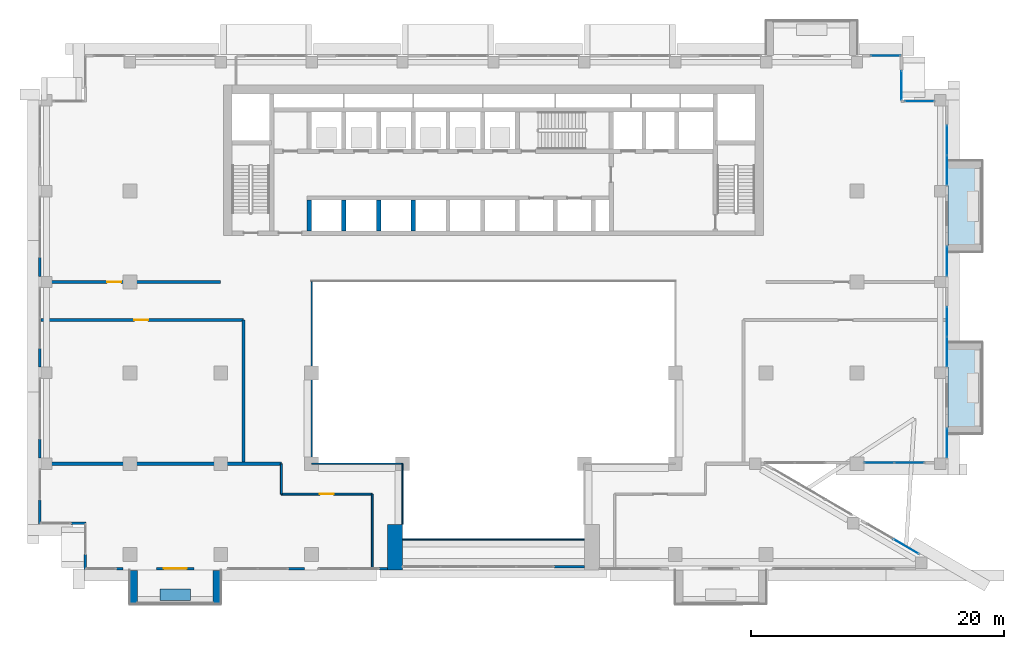
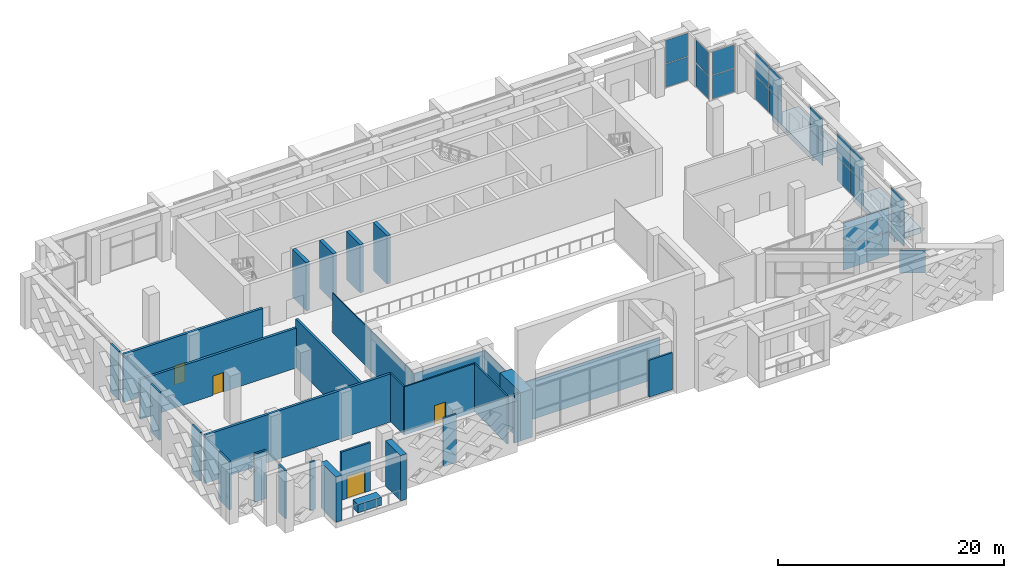
# One storey, part 14 of 25: 30 walls, 23 plates, 4 doors, 2 slabs, 4 openings, 9 elements without a shape of their own.
"""IFC4 building model written with IfcOpenShell, lengths in metres."""

from ifc_helpers import new_model, si_unit, direction, frame, frame_2d, origin, origin_2d, place, context, subcontext, project, spatial, polyline, rectangle, outline, extrude, source, transform, mapped, material, layer, layer_set, type_object, element, fill, aggregate, save


model = new_model("IFC4")

# Units and contexts
model_context = context("Model", 3, precision=1e-05, world=origin(), true_north=direction((0.0, 1.0)))
body_context = subcontext(model_context, "Body", "Model", "MODEL_VIEW")
ifc_project = project(units=[si_unit("LENGTHUNIT", "METRE"), si_unit("AREAUNIT", "SQUARE_METRE"), si_unit("VOLUMEUNIT", "CUBIC_METRE"), si_unit("PLANEANGLEUNIT", "RADIAN"), si_unit("MASSUNIT", "GRAM", prefix="KILO")], contexts=[model_context])

# Site, building, storey
site_placement = place(None, origin())
site = spatial("IfcSite", under=ifc_project, at=site_placement, CompositionType="ELEMENT")
building_placement = place(site_placement, origin())
building = spatial("IfcBuilding", under=site, at=building_placement, Name="Saffron Iwan Residences", CompositionType="ELEMENT")
storey_placement = place(building_placement, frame((0.0, 0.0, 137.5)))
storey = spatial("IfcBuildingStorey", under=building, at=storey_placement, Name="L36", CompositionType="ELEMENT", Elevation=137.5)

# Slabs
ifc_material_1 = material(Name="Concrete C50/60 white painted", Category="concrete")
ifc_layer_1 = layer(ifc_material_1, 0.60009765625)
ifc_layer_set_1 = layer_set([ifc_layer_1], Name="Concrete C50/60 white painted")
slab_type = type_object("IfcSlabType", Name="BALCONY FRAME SLAB 600", PredefinedType="FLOOR", material=ifc_layer_set_1)
slab_1_placement = place(storey_placement, frame((0.0, 0.0, -0.60009765625)))
element("IfcSlab", 1, at=slab_1_placement, inside=storey, type_object=slab_type, Name="Balcony frame slab L36 F2-0", PredefinedType="FLOOR", context=body_context, shape_type="SweptSolid", body=[
    extrude(outline(polyline([(89.10009765625, 50.39990234375), (89.10009765625, 57.60009765625), (86.39990234375, 57.60009765625), (86.39990234375, 50.39990234375), (89.10009765625, 50.39990234375)])), origin(), (0.0, 0.0, 1.0), 0.60009765625),
])
slab_2_placement = place(storey_placement, frame((0.0, 0.0, -0.60009765625)))
element("IfcSlab", 2, at=slab_2_placement, inside=storey, type_object=slab_type, Name="Balcony frame slab L36 F2-1", PredefinedType="FLOOR", context=body_context, shape_type="SweptSolid", body=[
    extrude(outline(polyline([(89.10009765625, 64.800048828125), (89.10009765625, 72.0), (86.39990234375, 72.0), (86.39990234375, 64.800048828125), (89.10009765625, 64.800048828125)])), origin(), (0.0, 0.0, 1.0), 0.60009765625),
])

# Curtain wall, plate
ifc_material_2 = material(Name="Clear glass, laminated double glazed", Category="glass")
ifc_layer_2 = layer(ifc_material_2, 0.14990234375)
ifc_layer_set_2 = layer_set([ifc_layer_2], Name="Clear glass, laminated double glazed")
curtain_wall_type = type_object("IfcCurtainWallType", Name="CW-C SKY LOBBY GLAZING", PredefinedType="NOTDEFINED", material=ifc_layer_set_2)
curtain_wall_1_placement = place(storey_placement, origin())
curtain_wall_1 = element("IfcCurtainWall", 3, at=curtain_wall_1_placement, inside=storey, type_object=curtain_wall_type, Name="Glazing L36 F0.1", PredefinedType="NOTDEFINED")
ifc_layer_3 = layer(ifc_material_2, 0.028076171875)
ifc_layer_set_3 = layer_set([ifc_layer_3], Name="Clear glass, laminated double glazed")
plate_type = type_object("IfcPlateType", Name="CW-C PANEL 28", PredefinedType="CURTAIN_PANEL", material=ifc_layer_set_3)
shared_shape_1 = source(origin(), body_context, "Body", "SweptSolid", [
    extrude(rectangle(XDim=2.31005859375, YDim=0.028076171875, at=origin_2d()), origin(), (0.0, 0.0, 1.0), 2.510009765625),
])
plate_1_placement = place(storey_placement, frame((83.0869140625, 41.43994140625, 2.6298828125), z_axis=(0.0, 0.0, 1.0), x_axis=(-0.863778900842, 0.503871025622, 0.0)))
plate_1 = element("IfcPlate", 4, at=plate_1_placement, type_object=plate_type, Name="CW-C panel 1.2", PredefinedType="CURTAIN_PANEL", context=body_context, shape_type="MappedRepresentation", body=[
    mapped(shared_shape_1, transform((0.0, 0.0, 0.0))),
])
aggregate(curtain_wall_1, [plate_1])

# Curtain wall, plates
curtain_wall_2_placement = place(storey_placement, origin())
curtain_wall_2 = element("IfcCurtainWall", 5, at=curtain_wall_2_placement, inside=storey, type_object=curtain_wall_type, Name="Glazing L36 F1.1", PredefinedType="NOTDEFINED")
plate_2_placement = place(storey_placement, frame((80.965087890625, 48.080078125, 0.06005859375), z_axis=(0.0, 0.0, 1.0), x_axis=(1.0, 0.0, 0.0)))
plate_2 = element("IfcPlate", 6, at=plate_2_placement, type_object=plate_type, Name="CW-C panel 1.1", PredefinedType="CURTAIN_PANEL", context=body_context, shape_type="MappedRepresentation", body=[
    mapped(shared_shape_1, transform((0.0, 0.0, 0.0))),
])
plate_3_placement = place(storey_placement, frame((80.965087890625, 48.080078125, 2.6298828125), z_axis=(0.0, 0.0, 1.0), x_axis=(1.0, 0.0, 0.0)))
plate_3 = element("IfcPlate", 7, at=plate_3_placement, type_object=plate_type, Name="CW-C panel 1.2", PredefinedType="CURTAIN_PANEL", context=body_context, shape_type="MappedRepresentation", body=[
    mapped(shared_shape_1, transform((0.0, 0.0, 0.0))),
])
plate_4_placement = place(storey_placement, frame((83.3349609375, 48.080078125, 0.06005859375), z_axis=(0.0, 0.0, 1.0), x_axis=(1.0, 0.0, 0.0)))
plate_4 = element("IfcPlate", 8, at=plate_4_placement, type_object=plate_type, Name="CW-C panel 2.1", PredefinedType="CURTAIN_PANEL", context=body_context, shape_type="MappedRepresentation", body=[
    mapped(shared_shape_1, transform((0.0, 0.0, 0.0))),
])
plate_5_placement = place(storey_placement, frame((83.3349609375, 48.080078125, 2.6298828125), z_axis=(0.0, 0.0, 1.0), x_axis=(1.0, 0.0, 0.0)))
plate_5 = element("IfcPlate", 9, at=plate_5_placement, type_object=plate_type, Name="CW-C panel 2.2", PredefinedType="CURTAIN_PANEL", context=body_context, shape_type="MappedRepresentation", body=[
    mapped(shared_shape_1, transform((0.0, 0.0, 0.0))),
])
aggregate(curtain_wall_2, [plate_2, plate_3, plate_4, plate_5])

curtain_wall_3_placement = place(storey_placement, origin())
curtain_wall_3 = element("IfcCurtainWall", 10, at=curtain_wall_3_placement, inside=storey, type_object=curtain_wall_type, Name="Glazing L36 F2.1", PredefinedType="NOTDEFINED")
plate_6_placement = place(storey_placement, frame((86.320068359375, 56.864990234375, 0.06005859375), z_axis=(0.0, 0.0, 1.0), x_axis=(0.0, 1.0, 0.0)))
plate_6 = element("IfcPlate", 11, at=plate_6_placement, type_object=plate_type, Name="CW-C panel 1.1", PredefinedType="CURTAIN_PANEL", context=body_context, shape_type="MappedRepresentation", body=[
    mapped(shared_shape_1, transform((0.0, 0.0, 0.0))),
])
plate_7_placement = place(storey_placement, frame((86.320068359375, 56.864990234375, 2.6298828125), z_axis=(0.0, 0.0, 1.0), x_axis=(0.0, 1.0, 0.0)))
plate_7 = element("IfcPlate", 12, at=plate_7_placement, type_object=plate_type, Name="CW-C panel 1.2", PredefinedType="CURTAIN_PANEL", context=body_context, shape_type="MappedRepresentation", body=[
    mapped(shared_shape_1, transform((0.0, 0.0, 0.0))),
])
plate_8_placement = place(storey_placement, frame((86.320068359375, 59.235107421875, 0.06005859375), z_axis=(0.0, 0.0, 1.0), x_axis=(0.0, 1.0, 0.0)))
plate_8 = element("IfcPlate", 13, at=plate_8_placement, type_object=plate_type, Name="CW-C panel 2.1", PredefinedType="CURTAIN_PANEL", context=body_context, shape_type="MappedRepresentation", body=[
    mapped(shared_shape_1, transform((0.0, 0.0, 0.0))),
])
plate_9_placement = place(storey_placement, frame((86.320068359375, 59.235107421875, 2.6298828125), z_axis=(0.0, 0.0, 1.0), x_axis=(0.0, 1.0, 0.0)))
plate_9 = element("IfcPlate", 14, at=plate_9_placement, type_object=plate_type, Name="CW-C panel 2.2", PredefinedType="CURTAIN_PANEL", context=body_context, shape_type="MappedRepresentation", body=[
    mapped(shared_shape_1, transform((0.0, 0.0, 0.0))),
])
aggregate(curtain_wall_3, [plate_6, plate_7, plate_8, plate_9])

curtain_wall_4_placement = place(storey_placement, origin())
curtain_wall_4 = element("IfcCurtainWall", 15, at=curtain_wall_4_placement, inside=storey, type_object=curtain_wall_type, Name="Glazing L36 F2.3", PredefinedType="NOTDEFINED")
plate_10_placement = place(storey_placement, frame((86.320068359375, 71.264892578125, 0.06005859375), z_axis=(0.0, 0.0, 1.0), x_axis=(0.0, 1.0, 0.0)))
plate_10 = element("IfcPlate", 16, at=plate_10_placement, type_object=plate_type, Name="CW-C panel 1.1", PredefinedType="CURTAIN_PANEL", context=body_context, shape_type="MappedRepresentation", body=[
    mapped(shared_shape_1, transform((0.0, 0.0, 0.0))),
])
plate_11_placement = place(storey_placement, frame((86.320068359375, 71.264892578125, 2.6298828125), z_axis=(0.0, 0.0, 1.0), x_axis=(0.0, 1.0, 0.0)))
plate_11 = element("IfcPlate", 17, at=plate_11_placement, type_object=plate_type, Name="CW-C panel 1.2", PredefinedType="CURTAIN_PANEL", context=body_context, shape_type="MappedRepresentation", body=[
    mapped(shared_shape_1, transform((0.0, 0.0, 0.0))),
])
plate_12_placement = place(storey_placement, frame((86.320068359375, 73.635009765625, 0.06005859375), z_axis=(0.0, 0.0, 1.0), x_axis=(0.0, 1.0, 0.0)))
plate_12 = element("IfcPlate", 18, at=plate_12_placement, type_object=plate_type, Name="CW-C panel 2.1", PredefinedType="CURTAIN_PANEL", context=body_context, shape_type="MappedRepresentation", body=[
    mapped(shared_shape_1, transform((0.0, 0.0, 0.0))),
])
plate_13_placement = place(storey_placement, frame((86.320068359375, 73.635009765625, 2.6298828125), z_axis=(0.0, 0.0, 1.0), x_axis=(0.0, 1.0, 0.0)))
plate_13 = element("IfcPlate", 19, at=plate_13_placement, type_object=plate_type, Name="CW-C panel 2.2", PredefinedType="CURTAIN_PANEL", context=body_context, shape_type="MappedRepresentation", body=[
    mapped(shared_shape_1, transform((0.0, 0.0, 0.0))),
])
aggregate(curtain_wall_4, [plate_10, plate_11, plate_12, plate_13])

curtain_wall_5_placement = place(storey_placement, origin())
curtain_wall_5 = element("IfcCurtainWall", 20, at=curtain_wall_5_placement, inside=storey, type_object=curtain_wall_type, Name="Glazing L36 F2.0", PredefinedType="NOTDEFINED")
shared_shape_2 = source(origin(), body_context, "Body", "SweptSolid", [
    extrude(rectangle(XDim=2.280029296875, YDim=0.028076171875, at=origin_2d()), origin(), (0.0, 0.0, 1.0), 2.510009765625),
])
plate_14_placement = place(storey_placement, frame((86.320068359375, 49.64990234375, 0.06005859375), z_axis=(0.0, 0.0, 1.0), x_axis=(0.0, 1.0, 0.0)))
plate_14 = element("IfcPlate", 21, at=plate_14_placement, type_object=plate_type, Name="CW-C panel 1.1", PredefinedType="CURTAIN_PANEL", context=body_context, shape_type="MappedRepresentation", body=[
    mapped(shared_shape_2, transform((0.0, 0.0, 0.0))),
])
plate_15_placement = place(storey_placement, frame((86.320068359375, 49.64990234375, 2.6298828125), z_axis=(0.0, 0.0, 1.0), x_axis=(0.0, 1.0, 0.0)))
plate_15 = element("IfcPlate", 22, at=plate_15_placement, type_object=plate_type, Name="CW-C panel 1.2", PredefinedType="CURTAIN_PANEL", context=body_context, shape_type="MappedRepresentation", body=[
    mapped(shared_shape_2, transform((0.0, 0.0, 0.0))),
])
aggregate(curtain_wall_5, [plate_14, plate_15])

curtain_wall_6_placement = place(storey_placement, origin())
curtain_wall_6 = element("IfcCurtainWall", 23, at=curtain_wall_6_placement, inside=storey, type_object=curtain_wall_type, Name="Glazing L36 F2.2", PredefinedType="NOTDEFINED")
plate_16_placement = place(storey_placement, frame((86.320068359375, 64.050048828125, 0.06005859375), z_axis=(0.0, 0.0, 1.0), x_axis=(0.0, 1.0, 0.0)))
plate_16 = element("IfcPlate", 24, at=plate_16_placement, type_object=plate_type, Name="CW-C panel 1.1", PredefinedType="CURTAIN_PANEL", context=body_context, shape_type="MappedRepresentation", body=[
    mapped(shared_shape_2, transform((0.0, 0.0, 0.0))),
])
plate_17_placement = place(storey_placement, frame((86.320068359375, 64.050048828125, 2.6298828125), z_axis=(0.0, 0.0, 1.0), x_axis=(0.0, 1.0, 0.0)))
plate_17 = element("IfcPlate", 25, at=plate_17_placement, type_object=plate_type, Name="CW-C panel 1.2", PredefinedType="CURTAIN_PANEL", context=body_context, shape_type="MappedRepresentation", body=[
    mapped(shared_shape_2, transform((0.0, 0.0, 0.0))),
])
aggregate(curtain_wall_6, [plate_16, plate_17])

curtain_wall_7_placement = place(storey_placement, origin())
curtain_wall_7 = element("IfcCurtainWall", 26, at=curtain_wall_7_placement, inside=storey, type_object=curtain_wall_type, Name="Glazing L36 F3.0", PredefinedType="NOTDEFINED")
plate_18_placement = place(storey_placement, frame((84.14990234375, 76.719970703125, 0.06005859375), z_axis=(0.0, 0.0, 1.0), x_axis=(-1.0, 0.0, 0.0)))
plate_18 = element("IfcPlate", 27, at=plate_18_placement, type_object=plate_type, Name="CW-C panel 1.1", PredefinedType="CURTAIN_PANEL", context=body_context, shape_type="MappedRepresentation", body=[
    mapped(shared_shape_2, transform((0.0, 0.0, 0.0))),
])
plate_19_placement = place(storey_placement, frame((84.14990234375, 76.719970703125, 2.6298828125), z_axis=(0.0, 0.0, 1.0), x_axis=(-1.0, 0.0, 0.0)))
plate_19 = element("IfcPlate", 28, at=plate_19_placement, type_object=plate_type, Name="CW-C panel 1.2", PredefinedType="CURTAIN_PANEL", context=body_context, shape_type="MappedRepresentation", body=[
    mapped(shared_shape_2, transform((0.0, 0.0, 0.0))),
])
aggregate(curtain_wall_7, [plate_18, plate_19])

curtain_wall_8_placement = place(storey_placement, origin())
curtain_wall_8 = element("IfcCurtainWall", 29, at=curtain_wall_8_placement, inside=storey, type_object=curtain_wall_type, Name="Glazing L36 F4.0", PredefinedType="NOTDEFINED")
plate_20_placement = place(storey_placement, frame((82.719970703125, 77.969970703125, 0.06005859375), z_axis=(0.0, 0.0, 1.0), x_axis=(0.0, 1.0, 0.0)))
plate_20 = element("IfcPlate", 30, at=plate_20_placement, type_object=plate_type, Name="CW-C panel 1.1", PredefinedType="CURTAIN_PANEL", context=body_context, shape_type="MappedRepresentation", body=[
    mapped(shared_shape_2, transform((0.0, 0.0, 0.0))),
])
plate_21_placement = place(storey_placement, frame((82.719970703125, 77.969970703125, 2.6298828125), z_axis=(0.0, 0.0, 1.0), x_axis=(0.0, 1.0, 0.0)))
plate_21 = element("IfcPlate", 31, at=plate_21_placement, type_object=plate_type, Name="CW-C panel 1.2", PredefinedType="CURTAIN_PANEL", context=body_context, shape_type="MappedRepresentation", body=[
    mapped(shared_shape_2, transform((0.0, 0.0, 0.0))),
])
aggregate(curtain_wall_8, [plate_20, plate_21])

curtain_wall_9_placement = place(storey_placement, origin())
curtain_wall_9 = element("IfcCurtainWall", 32, at=curtain_wall_9_placement, inside=storey, type_object=curtain_wall_type, Name="Glazing L36 F5.0", PredefinedType="NOTDEFINED")
plate_22_placement = place(storey_placement, frame((81.469970703125, 80.320068359375, 0.06005859375), z_axis=(0.0, 0.0, 1.0), x_axis=(-1.0, 0.0, 0.0)))
plate_22 = element("IfcPlate", 33, at=plate_22_placement, type_object=plate_type, Name="CW-C panel 1.1", PredefinedType="CURTAIN_PANEL", context=body_context, shape_type="MappedRepresentation", body=[
    mapped(shared_shape_2, transform((0.0, 0.0, 0.0))),
])
plate_23_placement = place(storey_placement, frame((81.469970703125, 80.320068359375, 2.6298828125), z_axis=(0.0, 0.0, 1.0), x_axis=(-1.0, 0.0, 0.0)))
plate_23 = element("IfcPlate", 34, at=plate_23_placement, type_object=plate_type, Name="CW-C panel 1.2", PredefinedType="CURTAIN_PANEL", context=body_context, shape_type="MappedRepresentation", body=[
    mapped(shared_shape_2, transform((0.0, 0.0, 0.0))),
])
aggregate(curtain_wall_9, [plate_22, plate_23])

# Walls
ifc_layer_4 = layer(ifc_material_1, 0.60009765625)
ifc_layer_set_4 = layer_set([ifc_layer_4], Name="Concrete C50/60 white painted")
wall_type_1 = type_object("IfcWallType", Name="BALCONY FIN 600", PredefinedType="SOLIDWALL", material=ifc_layer_set_4)
for number, where, z_axis, x_axis, name in (
    (35, (21.89990234375, 39.550048828125, 0.0), (0.0, 0.0, 1.0), (0.0, -1.0, 0.0), "Balcony fin L36 11-0a"),
    (36, (28.5, 39.550048828125, 0.0), (0.0, 0.0, 1.0), (0.0, -1.0, 0.0), "Balcony fin L36 11-0b"),
):
    element("IfcWall", number, at=place(storey_placement, frame(where, z_axis=z_axis, x_axis=x_axis)), inside=storey, type_object=wall_type_1, Name=name, PredefinedType="SOLIDWALL", context=body_context, shape_type="SweptSolid", body=[
        extrude(rectangle(XDim=2.650146484375, YDim=0.60009765625, at=frame_2d((1.3251953125, 0.0))), origin(), (0.0, 0.0, 1.0), 4.89990234375),
    ])
ifc_material_3 = material(Name="Concrete C35/45 white painted", Category="concrete")
ifc_layer_5 = layer(ifc_material_3, 0.14990234375)
ifc_layer_set_5 = layer_set([ifc_layer_5], Name="Concrete C35/45 white painted")
wall_type_2 = type_object("IfcWallType", Name="BALCONY PLANTER", PredefinedType="SOLIDWALL", material=ifc_layer_set_5)
wall_1_placement = place(storey_placement, frame((24.0, 37.625, 0.0), z_axis=(0.0, 0.0, 1.0), x_axis=(1.0, 0.0, 0.0)))
element("IfcWall", 37, at=wall_1_placement, inside=storey, type_object=wall_type_2, Name="PLANTER L36 11-0", PredefinedType="SOLIDWALL", context=body_context, shape_type="SweptSolid", body=[
    extrude(rectangle(XDim=2.39990234375, YDim=0.89990234375, at=frame_2d((1.199951171875, 0.0))), origin(), (0.0, 0.0, 1.0), 0.89990234375),
])

# Wall, opening, door
ifc_material_4 = material(Name="Concrete blockwork", Category="masonry")
ifc_layer_6 = layer(ifc_material_4, 0.14990234375)
ifc_layer_set_6 = layer_set([ifc_layer_6], Name="Concrete blockwork")
wall_type_3 = type_object("IfcWallType", Name="Blockwork partition 150", PredefinedType="PARTITIONING", material=ifc_layer_set_6)
wall_2_placement = place(storey_placement, frame((33.60009765625, 45.60009765625, 0.0), z_axis=(0.0, 0.0, 1.0), x_axis=(1.0, 0.0, 0.0)))
wall_2 = element("IfcWall", 38, at=wall_2_placement, inside=storey, type_object=wall_type_3, Name="W-L36-002", PredefinedType="PARTITIONING", context=body_context, shape_type="SweptSolid", body=[
    extrude(rectangle(XDim=7.199951171875, YDim=0.14990234375, at=frame_2d((3.60009765625, 0.0))), origin(), (0.0, 0.0, 1.0), 5.199951171875),
])
opening_1_placement = place(wall_2_placement, frame((3.050048828125, 0.0, 0.0)))
opening_1 = element("IfcOpeningElement", 39, at=opening_1_placement, cuts=wall_2, Name="Opening L36.01", PredefinedType="OPENING", context=body_context, shape_type="SweptSolid", body=[
    extrude(rectangle(XDim=1.10009765625, YDim=2.10009765625, at=frame_2d((0.550048828125, 1.050048828125))), frame((0.0, 0.0849609375, 0.0), z_axis=(0.0, -1.0, 0.0), x_axis=(1.0, 0.0, 0.0)), (0.0, 0.0, 1.0), 0.169921875),
])
ifc_material_5 = material(Name="Timber", Category="wood")
door_type_1 = type_object("IfcDoorType", Name="Door 1100x2100", OperationType="NOTDEFINED", PredefinedType="DOOR", material=ifc_material_5)
door_1_placement = place(opening_1_placement, origin())
door_1 = element("IfcDoor", 40, at=door_1_placement, inside=storey, type_object=door_type_1, Name="D-L36-001", OperationType="SINGLE_SWING_RIGHT", OverallHeight=2.10009765625, OverallWidth=1.10009765625, PredefinedType="DOOR", context=body_context, shape_type="SweptSolid", body=[
    extrude(rectangle(XDim=1.10009765625, YDim=2.10009765625, at=frame_2d((0.550048828125, 1.050048828125))), frame((0.0, 0.02490234375, 0.0), z_axis=(0.0, -1.0, 0.0), x_axis=(1.0, 0.0, 0.0)), (0.0, 0.0, 1.0), 0.050048828125),
])
fill(opening_1, door_1)

# Walls
wall_3_placement = place(storey_placement, frame((33.60009765625, 45.60009765625, 0.0), z_axis=(0.0, 0.0, 1.0), x_axis=(0.0, 1.0, 0.0)))
element("IfcWall", 41, at=wall_3_placement, inside=storey, type_object=wall_type_3, Name="W-L36-014", PredefinedType="PARTITIONING", context=body_context, shape_type="SweptSolid", body=[
    extrude(rectangle(XDim=2.39990234375, YDim=0.14990234375, at=frame_2d((1.199951171875, 0.0))), origin(), (0.0, 0.0, 1.0), 5.199951171875),
])
wall_4_placement = place(storey_placement, frame((40.800048828125, 39.77001953125, 0.0), z_axis=(0.0, 0.0, 1.0), x_axis=(0.0, 1.0, 0.0)))
element("IfcWall", 42, at=wall_4_placement, inside=storey, type_object=wall_type_3, Name="W-L36-016", PredefinedType="PARTITIONING", context=body_context, shape_type="SweptSolid", body=[
    extrude(rectangle(XDim=5.830078125, YDim=0.14990234375, at=frame_2d((2.9150390625, 0.0))), origin(), (0.0, 0.0, 1.0), 5.199951171875),
])
ifc_material_6 = material(Name="Concrete C40/50", Category="concrete")
ifc_layer_7 = layer(ifc_material_6, 0.199951171875)
ifc_layer_set_7 = layer_set([ifc_layer_7], Name="Concrete C40/50")
wall_type_4 = type_object("IfcWallType", Name="EXTERNAL WALL 200", PredefinedType="SOLIDWALL", material=ifc_layer_set_7)
for number, where, z_axis, x_axis, name in (
    (43, (14.47998046875, 64.35009765625, 0.0), (0.0, 0.0, 1.0), (0.0, -1.0, 0.0), "External wall infill CWC-L36-F8-1"),
    (44, (14.47998046875, 57.14990234375, 0.0), (0.0, 0.0, 1.0), (0.0, -1.0, 0.0), "External wall infill CWC-L36-F8-2"),
    (45, (14.47998046875, 49.949951171875, 0.0), (0.0, 0.0, 1.0), (0.0, -1.0, 0.0), "External wall infill CWC-L36-F8-3"),
):
    element("IfcWall", number, at=place(storey_placement, frame(where, z_axis=z_axis, x_axis=x_axis)), inside=storey, type_object=wall_type_4, Name=name, PredefinedType="SOLIDWALL", context=body_context, shape_type="SweptSolid", body=[
        extrude(rectangle(XDim=1.5, YDim=0.199951171875, at=frame_2d((0.75, 0.0))), origin(), (0.0, 0.0, 1.0), 5.199951171875),
    ])
wall_5_placement = place(storey_placement, frame((14.47998046875, 45.14990234375, 0.0), z_axis=(0.0, 0.0, 1.0), x_axis=(0.0, -1.0, 0.0)))
element("IfcWall", 46, at=wall_5_placement, inside=storey, type_object=wall_type_4, Name="External wall infill CWC-L36-F8-4", PredefinedType="SOLIDWALL", context=body_context, shape_type="SweptSolid", body=[
    extrude(rectangle(XDim=1.919921875, YDim=0.199951171875, at=frame_2d((0.9599609375, 0.0))), origin(), (0.0, 0.0, 1.0), 5.199951171875),
])
wall_6_placement = place(storey_placement, frame((16.929931640625, 43.280029296875, 0.0), z_axis=(0.0, 0.0, 1.0), x_axis=(1.0, 0.0, 0.0)))
element("IfcWall", 47, at=wall_6_placement, inside=storey, type_object=wall_type_4, Name="External wall infill CWC-L36-F9-0", PredefinedType="SOLIDWALL", context=body_context, shape_type="SweptSolid", body=[
    extrude(rectangle(XDim=1.199951171875, YDim=0.199951171875, at=frame_2d((0.60009765625, 0.0))), origin(), (0.0, 0.0, 1.0), 5.199951171875),
])
wall_7_placement = place(storey_placement, frame((18.080078125, 40.830078125, 0.0), z_axis=(0.0, 0.0, 1.0), x_axis=(0.0, -1.0, 0.0)))
element("IfcWall", 48, at=wall_7_placement, inside=storey, type_object=wall_type_4, Name="External wall infill CWC-L36-F10-0", PredefinedType="SOLIDWALL", context=body_context, shape_type="SweptSolid", body=[
    extrude(rectangle(XDim=1.2001953125, YDim=0.199951171875, at=frame_2d((0.60009765625, 0.0))), origin(), (0.0, 0.0, 1.0), 5.199951171875),
])

# Wall, opening, door
wall_8_placement = place(storey_placement, frame((23.699951171875, 39.699951171875, 0.0), z_axis=(0.0, 0.0, 1.0), x_axis=(1.0, 0.0, 0.0)))
wall_8 = element("IfcWall", 49, at=wall_8_placement, inside=storey, type_object=wall_type_4, Name="External wall L36 F11.D0", PredefinedType="SOLIDWALL", context=body_context, shape_type="SweptSolid", body=[
    extrude(rectangle(XDim=3.0, YDim=0.199951171875, at=frame_2d((1.5, 0.0))), origin(), (0.0, 0.0, 1.0), 5.199951171875),
])
opening_2_placement = place(wall_8_placement, frame((0.60009765625, 0.0, 0.0)))
opening_2 = element("IfcOpeningElement", 50, at=opening_2_placement, cuts=wall_8, Name="Opening BD1", PredefinedType="OPENING", context=body_context, shape_type="SweptSolid", body=[
    extrude(rectangle(XDim=1.800048828125, YDim=2.39990234375, at=frame_2d((0.89990234375, 1.199951171875))), frame((0.0, 0.10986328125, 0.0), z_axis=(0.0, -1.0, 0.0), x_axis=(1.0, 0.0, 0.0)), (0.0, 0.0, 1.0), 0.219970703125),
])
door_type_2 = type_object("IfcDoorType", Name="BALCONY DOOR 1800 x 2400", OperationType="DOUBLE_DOOR_SLIDING", PredefinedType="DOOR", material=ifc_material_2)
door_2_placement = place(opening_2_placement, origin())
door_2 = element("IfcDoor", 51, at=door_2_placement, inside=storey, type_object=door_type_2, Name="Terrace door L36 F11.0", OperationType="DOUBLE_DOOR_SLIDING", OverallHeight=2.39990234375, OverallWidth=1.800048828125, PredefinedType="DOOR", context=body_context, shape_type="SweptSolid", body=[
    extrude(rectangle(XDim=1.800048828125, YDim=2.39990234375, at=frame_2d((0.89990234375, 1.199951171875))), frame((0.0, 0.02490234375, 0.0), z_axis=(0.0, -1.0, 0.0), x_axis=(1.0, 0.0, 0.0)), (0.0, 0.0, 1.0), 0.050048828125),
])
fill(opening_2, door_2)

# Walls
wall_9_placement = place(storey_placement, frame((20.530029296875, 39.679931640625, 0.0), z_axis=(0.0, 0.0, 1.0), x_axis=(1.0, 0.0, 0.0)))
element("IfcWall", 52, at=wall_9_placement, inside=storey, type_object=wall_type_4, Name="External wall infill CWC-L36-F11-0", PredefinedType="SOLIDWALL", context=body_context, shape_type="SweptSolid", body=[
    extrude(rectangle(XDim=0.52001953125, YDim=0.199951171875, at=frame_2d((0.260009765625, 0.0))), origin(), (0.0, 0.0, 1.0), 5.199951171875),
])
wall_10_placement = place(storey_placement, frame((34.14990234375, 39.679931640625, 0.0), z_axis=(0.0, 0.0, 1.0), x_axis=(1.0, 0.0, 0.0)))
element("IfcWall", 53, at=wall_10_placement, inside=storey, type_object=wall_type_4, Name="External wall infill CWC-L36-F11-3", PredefinedType="SOLIDWALL", context=body_context, shape_type="SweptSolid", body=[
    extrude(rectangle(XDim=1.300048828125, YDim=0.199951171875, at=frame_2d((0.64990234375, 0.0))), origin(), (0.0, 0.0, 1.0), 5.199951171875),
])
wall_11_placement = place(storey_placement, frame((41.35009765625, 39.679931640625, 0.0), z_axis=(0.0, 0.0, 1.0), x_axis=(1.0, 0.0, 0.0)))
element("IfcWall", 54, at=wall_11_placement, inside=storey, type_object=wall_type_4, Name="External wall infill CWC-L36-F11-4", PredefinedType="SOLIDWALL", context=body_context, shape_type="SweptSolid", body=[
    extrude(rectangle(XDim=0.64990234375, YDim=0.199951171875, at=frame_2d((0.324951171875, 0.0))), origin(), (0.0, 0.0, 1.0), 5.199951171875),
])
wall_12_placement = place(storey_placement, frame((55.199951171875, 39.85009765625, 0.0), z_axis=(0.0, 0.0, 1.0), x_axis=(1.0, 0.0, 0.0)))
element("IfcWall", 55, at=wall_12_placement, inside=storey, type_object=wall_type_4, Name="External wall infill CWB-L36-0", PredefinedType="SOLIDWALL", context=body_context, shape_type="SweptSolid", body=[
    extrude(rectangle(XDim=2.400146484375, YDim=0.199951171875, at=frame_2d((1.2001953125, 0.0))), origin(), (0.0, 0.0, 1.0), 4.0),
])
ifc_layer_8 = layer(ifc_material_6, 0.25)
ifc_layer_set_8 = layer_set([ifc_layer_8], Name="Concrete C40/50")
wall_type_5 = type_object("IfcWallType", Name="Fire compartment wall 250", PredefinedType="SOLIDWALL", material=ifc_layer_set_8)
wall_13_placement = place(storey_placement, frame((14.570068359375, 48.0, 0.0), z_axis=(0.0, 0.0, 1.0), x_axis=(1.0, 0.0, 0.0)))
element("IfcWall", 56, at=wall_13_placement, inside=storey, type_object=wall_type_5, Name="W-L36-006", PredefinedType="SOLIDWALL", context=body_context, shape_type="SweptSolid", body=[
    extrude(rectangle(XDim=19.030029296875, YDim=0.25, at=frame_2d((9.51513671875, 0.0))), origin(), (0.0, 0.0, 1.0), 5.199951171875),
])

# Wall, opening, door
wall_14_placement = place(storey_placement, frame((14.570068359375, 59.39990234375, 0.0), z_axis=(0.0, 0.0, 1.0), x_axis=(1.0, 0.0, 0.0)))
wall_14 = element("IfcWall", 57, at=wall_14_placement, inside=storey, type_object=wall_type_5, Name="W-L36-008", PredefinedType="SOLIDWALL", context=body_context, shape_type="SweptSolid", body=[
    extrude(rectangle(XDim=16.030029296875, YDim=0.25, at=frame_2d((8.01513671875, 0.0))), origin(), (0.0, 0.0, 1.0), 4.300048828125),
])
opening_3_placement = place(wall_14_placement, frame((7.3798828125, 0.0, 0.0)))
opening_3 = element("IfcOpeningElement", 58, at=opening_3_placement, cuts=wall_14, Name="Opening L36.02", PredefinedType="OPENING", context=body_context, shape_type="SweptSolid", body=[
    extrude(rectangle(XDim=1.10009765625, YDim=2.10009765625, at=frame_2d((0.550048828125, 1.050048828125))), frame((0.0, 0.135009765625, 0.0), z_axis=(0.0, -1.0, 0.0), x_axis=(1.0, 0.0, 0.0)), (0.0, 0.0, 1.0), 0.27001953125),
])
door_3_placement = place(opening_3_placement, origin())
door_3 = element("IfcDoor", 59, at=door_3_placement, inside=storey, type_object=door_type_1, Name="D-L36-002", OperationType="SINGLE_SWING_LEFT", OverallHeight=2.10009765625, OverallWidth=1.10009765625, PredefinedType="DOOR", context=body_context, shape_type="SweptSolid", body=[
    extrude(rectangle(XDim=1.10009765625, YDim=2.10009765625, at=frame_2d((0.550048828125, 1.050048828125))), frame((0.0, 0.02490234375, 0.0), z_axis=(0.0, -1.0, 0.0), x_axis=(1.0, 0.0, 0.0)), (0.0, 0.0, 1.0), 0.050048828125),
])
fill(opening_3, door_3)

wall_15_placement = place(storey_placement, frame((14.570068359375, 62.39990234375, 0.0), z_axis=(0.0, 0.0, 1.0), x_axis=(1.0, 0.0, 0.0)))
wall_15 = element("IfcWall", 60, at=wall_15_placement, inside=storey, type_object=wall_type_5, Name="W-L36-010", PredefinedType="SOLIDWALL", context=body_context, shape_type="SweptSolid", body=[
    extrude(rectangle(XDim=14.22998046875, YDim=0.25, at=frame_2d((7.114990234375, 0.0))), origin(), (0.0, 0.0, 1.0), 5.199951171875),
])
opening_4_placement = place(wall_15_placement, frame((5.22998046875, 0.0, 0.0)))
opening_4 = element("IfcOpeningElement", 61, at=opening_4_placement, cuts=wall_15, Name="Opening L36.03", PredefinedType="OPENING", context=body_context, shape_type="SweptSolid", body=[
    extrude(rectangle(XDim=1.10009765625, YDim=2.10009765625, at=frame_2d((0.550048828125, 1.050048828125))), frame((0.0, 0.135009765625, 0.0), z_axis=(0.0, -1.0, 0.0), x_axis=(1.0, 0.0, 0.0)), (0.0, 0.0, 1.0), 0.27001953125),
])
door_4_placement = place(opening_4_placement, origin())
door_4 = element("IfcDoor", 62, at=door_4_placement, inside=storey, type_object=door_type_1, Name="D-L36-003", OperationType="SINGLE_SWING_LEFT", OverallHeight=2.10009765625, OverallWidth=1.10009765625, PredefinedType="DOOR", context=body_context, shape_type="SweptSolid", body=[
    extrude(rectangle(XDim=1.10009765625, YDim=2.10009765625, at=frame_2d((0.550048828125, 1.050048828125))), frame((0.0, 0.02490234375, 0.0), z_axis=(0.0, -1.0, 0.0), x_axis=(1.0, 0.0, 0.0)), (0.0, 0.0, 1.0), 0.050048828125),
])
fill(opening_4, door_4)

# Walls
wall_16_placement = place(storey_placement, frame((30.60009765625, 48.125, 0.0), z_axis=(0.0, 0.0, 1.0), x_axis=(0.0, 1.0, 0.0)))
element("IfcWall", 63, at=wall_16_placement, inside=storey, type_object=wall_type_5, Name="W-L36-013", PredefinedType="SOLIDWALL", context=body_context, shape_type="SweptSolid", body=[
    extrude(rectangle(XDim=11.27490234375, YDim=0.25, at=frame_2d((5.637451171875, 0.0))), origin(), (0.0, 0.0, 1.0), 5.199951171875),
])
ifc_material_7 = material(Name="Glass", Category="glass")
ifc_layer_9 = layer(ifc_material_7, 0.10009765625)
ifc_layer_set_9 = layer_set([ifc_layer_9], Name="Glass")
wall_type_6 = type_object("IfcWallType", Name="Glazed screen wall 100", PredefinedType="PARTITIONING", material=ifc_layer_set_9)
wall_17_placement = place(storey_placement, frame((43.201904296875, 42.0, 0.0), z_axis=(0.0, 0.0, 1.0), x_axis=(1.0, 0.0, 0.0)))
element("IfcWall", 64, at=wall_17_placement, inside=storey, type_object=wall_type_6, Name="W-L36-001", PredefinedType="PARTITIONING", context=body_context, shape_type="SweptSolid", body=[
    extrude(rectangle(XDim=14.39599609375, YDim=0.10009765625, at=frame_2d((7.197998046875, 0.0))), origin(), (0.0, 0.0, 1.0), 4.300048828125),
])
wall_18_placement = place(storey_placement, frame((36.0, 48.0, 0.0), z_axis=(0.0, 0.0, 1.0), x_axis=(1.0, 0.0, 0.0)))
element("IfcWall", 65, at=wall_18_placement, inside=storey, type_object=wall_type_6, Name="W-L36-004", PredefinedType="PARTITIONING", context=body_context, shape_type="SweptSolid", body=[
    extrude(rectangle(XDim=7.199951171875, YDim=0.10009765625, at=frame_2d((3.60009765625, 0.0))), origin(), (0.0, 0.0, 1.0), 4.300048828125),
])
wall_19_placement = place(storey_placement, frame((36.0, 48.0, 0.0), z_axis=(0.0, 0.0, 1.0), x_axis=(0.0, 1.0, 0.0)))
element("IfcWall", 66, at=wall_19_placement, inside=storey, type_object=wall_type_6, Name="W-L36-015", PredefinedType="PARTITIONING", context=body_context, shape_type="SweptSolid", body=[
    extrude(rectangle(XDim=14.39990234375, YDim=0.10009765625, at=frame_2d((7.199951171875, 0.0))), origin(), (0.0, 0.0, 1.0), 4.300048828125),
])
wall_20_placement = place(storey_placement, frame((43.199951171875, 43.201904296875, 0.0), z_axis=(0.0, 0.0, 1.0), x_axis=(0.0, 1.0, 0.0)))
element("IfcWall", 67, at=wall_20_placement, inside=storey, type_object=wall_type_6, Name="W-L36-017", PredefinedType="PARTITIONING", context=body_context, shape_type="SweptSolid", body=[
    extrude(rectangle(XDim=4.798095703125, YDim=0.10009765625, at=frame_2d((2.39892578125, 0.0))), origin(), (0.0, 0.0, 1.0), 4.300048828125),
])
ifc_material_8 = material(Name="Concrete C50/60", Category="concrete")
ifc_layer_10 = layer(ifc_material_8, 0.35009765625)
ifc_layer_set_10 = layer_set([ifc_layer_10], Name="Concrete C50/60")
wall_type_7 = type_object("IfcWallType", Name="WALL CORE 350 C50/60 5200 HIGH", PredefinedType="SHEAR", material=ifc_layer_set_10)
for number, where, z_axis, x_axis, name in (
    (68, (35.800048828125, 66.449951171875, 0.0), (0.0, 0.0, 1.0), (0.0, 1.0, 0.0), "Core wall"),
    (69, (38.550048828125, 66.449951171875, 0.0), (0.0, 0.0, 1.0), (0.0, 1.0, 0.0), "Core wall"),
    (70, (41.300048828125, 66.449951171875, 0.0), (0.0, 0.0, 1.0), (0.0, 1.0, 0.0), "Core wall"),
    (71, (44.050048828125, 66.449951171875, 0.0), (0.0, 0.0, 1.0), (0.0, 1.0, 0.0), "Core wall"),
):
    element("IfcWall", number, at=place(storey_placement, frame(where, z_axis=z_axis, x_axis=x_axis)), inside=storey, type_object=wall_type_7, Name=name, PredefinedType="SHEAR", context=body_context, shape_type="SweptSolid", body=[
        extrude(rectangle(XDim=2.425048828125, YDim=0.35009765625, at=frame_2d((1.21240234375, 0.0))), origin(), (0.0, 0.0, 1.0), 5.199951171875),
    ])
ifc_layer_11 = layer(ifc_material_8, 1.199951171875)
ifc_layer_set_11 = layer_set([ifc_layer_11], Name="Concrete C50/60")
wall_type_8 = type_object("IfcWallType", Name="WALL IWAN PIER 1200 C50/60 5200 HIGH", PredefinedType="SHEAR", material=ifc_layer_set_11)
wall_21_placement = place(storey_placement, frame((42.60009765625, 39.60009765625, 0.0), z_axis=(0.0, 0.0, 1.0), x_axis=(0.0, 1.0, 0.0)))
element("IfcWall", 72, at=wall_21_placement, inside=storey, type_object=wall_type_8, Name="IWAN PIER", PredefinedType="SHEAR", context=body_context, shape_type="SweptSolid", body=[
    extrude(rectangle(XDim=3.599853515625, YDim=1.199951171875, at=frame_2d((1.7998046875, 0.0))), origin(), (0.0, 0.0, 1.0), 5.199951171875),
])

save(model, "model.ifc")
